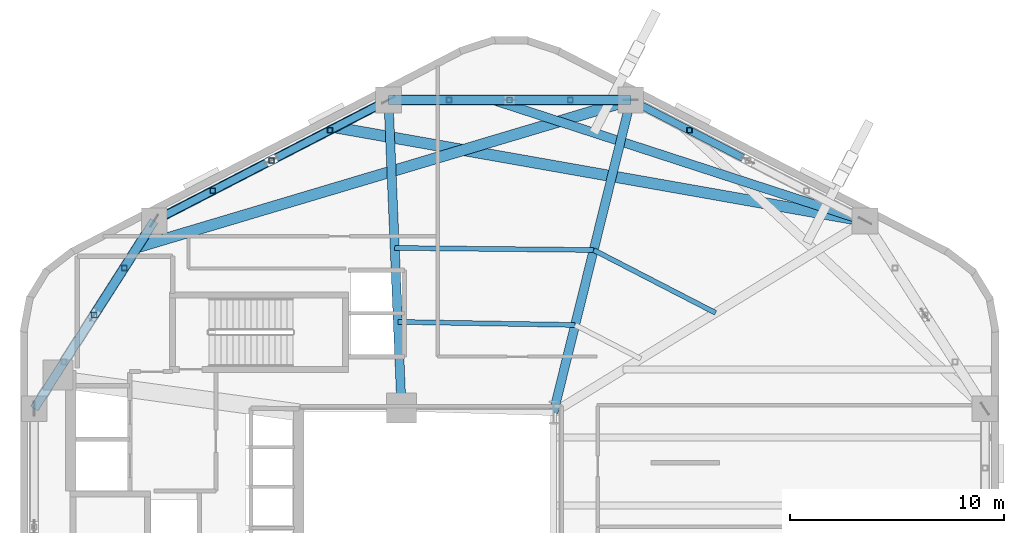
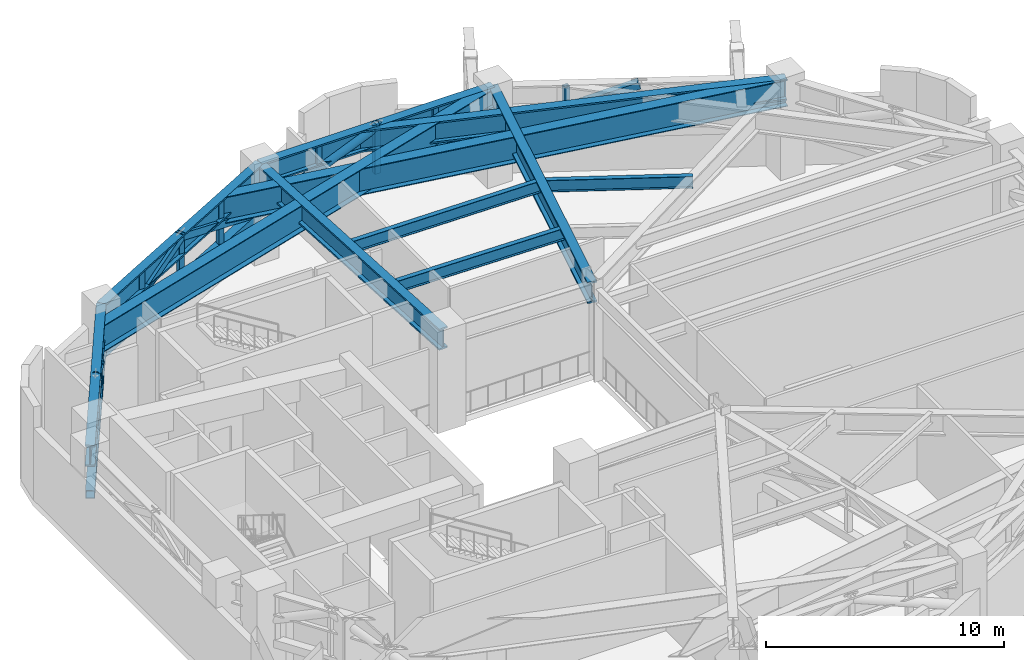
# One storey, part 5 of 14: 18 members, 11 beams.
"""IFC4 building model written with IfcOpenShell, lengths in metres."""

import ifcopenshell
import ifcopenshell.guid

model = None  # the IFC model being written
_history = None  # IfcOwnerHistory: only IFC2X3 demands one
_inside = {}  # id of a spatial element -> (the spatial element, [elements in it])
_under = {}  # id of a project, library or spatial element -> (it, [spatial elements below it])
_declared = {}  # id of a project -> (the project, [libraries it declares])
_typed = {}  # id of a type object -> (the type object, [elements of that type])
_made_of = {}  # id of a material, layer set ... -> (it, [elements and type objects made of it])


def new_model(schema):
    """Start an empty IFC model of exactly this schema.

    Asked for "IFC4X3", IfcOpenShell would pick the latest addendum, in which some entities
    have other attributes; the version numbers below select the first issue.
    IFC2X3 requires an IfcOwnerHistory on every rooted entity: one is made here for all.
    """
    global model, _history
    if schema == "IFC4X3":
        model = ifcopenshell.file(schema_version=(4, 3, 0, 0))
    else:
        model = ifcopenshell.file(schema=schema)
    _inside.clear()
    _under.clear()
    _declared.clear()
    _typed.clear()
    _made_of.clear()
    _history = None
    if model.schema == "IFC2X3":
        org = make("IfcOrganization", Name="unknown")
        user = make(
            "IfcPersonAndOrganization",
            ThePerson=make("IfcPerson", FamilyName="unknown"),
            TheOrganization=org,
        )
        app = make(
            "IfcApplication",
            ApplicationDeveloper=org,
            Version="unknown",
            ApplicationFullName="unknown",
            ApplicationIdentifier="unknown",
        )
        _history = make(
            "IfcOwnerHistory",
            OwningUser=user,
            OwningApplication=app,
            ChangeAction="ADDED",
            CreationDate=0,
        )
    return model


def make(cls, **values):
    """One entity of the class cls with the attributes given. An attribute that is None is left unset."""
    return model.create_entity(
        cls, **{name: value for name, value in values.items() if value is not None}
    )


def rooted(cls, **values):
    """An entity with a GlobalId (a new one), such as an element, a storey or a relation."""
    return make(cls, GlobalId=ifcopenshell.guid.new(), OwnerHistory=_history, **values)


def si_unit(unit_type, name, prefix=None):
    """IfcSIUnit, for example si_unit("LENGTHUNIT", "METRE", prefix="MILLI")."""
    return make("IfcSIUnit", UnitType=unit_type, Prefix=prefix, Name=name)


def assignment(units):
    """IfcUnitAssignment: the units of a project."""
    return None if units is None else make("IfcUnitAssignment", Units=units)


def point(xyz):
    """IfcCartesianPoint."""
    return None if xyz is None else make("IfcCartesianPoint", Coordinates=xyz)


def direction(xyz):
    """IfcDirection."""
    return None if xyz is None else make("IfcDirection", DirectionRatios=xyz)


def frame(location, z_axis=None, x_axis=None):
    """IfcAxis2Placement3D, a coordinate frame: its origin and axes. An axis left out is left unset."""
    return make(
        "IfcAxis2Placement3D",
        Location=point(location),
        Axis=direction(z_axis),
        RefDirection=direction(x_axis),
    )


def frame_2d(location, x_axis=None):
    """IfcAxis2Placement2D, a coordinate frame in the plane: its origin and x axis."""
    return make(
        "IfcAxis2Placement2D", Location=point(location), RefDirection=direction(x_axis)
    )


def origin():
    """The frame at (0, 0, 0) with its axes left unset."""
    return frame((0.0, 0.0, 0.0))


def origin_2d():
    """The frame at (0, 0) in the plane with its x axis left unset."""
    return frame_2d((0.0, 0.0))


def place(relative_to, where):
    """IfcLocalPlacement: puts the frame where relative to a parent placement (None: the world)."""
    return make(
        "IfcLocalPlacement", PlacementRelTo=relative_to, RelativePlacement=where
    )


def context(
    kind, dimensions, precision=None, world=None, true_north=None, identifier=None
):
    """IfcGeometricRepresentationContext, for example the 3D "Model" context."""
    return make(
        "IfcGeometricRepresentationContext",
        ContextIdentifier=identifier,
        ContextType=kind,
        CoordinateSpaceDimension=dimensions,
        Precision=precision,
        WorldCoordinateSystem=world,
        TrueNorth=true_north,
    )


def subcontext(parent, identifier, kind, view, scale=None):
    """IfcGeometricRepresentationSubContext, for example "Body" below "Model"."""
    return make(
        "IfcGeometricRepresentationSubContext",
        ContextIdentifier=identifier,
        ContextType=kind,
        ParentContext=parent,
        TargetScale=scale,
        TargetView=view,
    )


def project(units=None, contexts=None):
    """IfcProject with its units and contexts."""
    return rooted(
        "IfcProject",
        Name="project",
        RepresentationContexts=contexts,
        UnitsInContext=assignment(units),
    )


def spatial(cls, under=None, at=None, **own):
    """A site, building, storey or space (cls), placed at a placement, below another one or the project."""
    s = rooted(cls, ObjectPlacement=at, **own)
    if under is not None:
        _under.setdefault(under.id(), (under, []))[1].append(s)
    return s


def profile(cls, at=None, kind="AREA", **sizes):
    """A parametric profile (cls). Its sizes go by their IFC names, for example OverallWidth=200.0."""
    return make(cls, ProfileType=kind, Position=at, **sizes)


def hollow_rectangle(**sizes):
    """IfcRectangleHollowProfileDef."""
    return profile("IfcRectangleHollowProfileDef", **sizes)


def hollow_circle(**sizes):
    """IfcCircleHollowProfileDef."""
    return profile("IfcCircleHollowProfileDef", **sizes)


def i_section(**sizes):
    """IfcIShapeProfileDef."""
    return profile("IfcIShapeProfileDef", **sizes)


def extrude(swept, where, along, depth):
    """IfcExtrudedAreaSolid: the profile swept, set in the frame where, extruded along a direction by depth."""
    return make(
        "IfcExtrudedAreaSolid",
        SweptArea=swept,
        Position=where,
        ExtrudedDirection=direction(along),
        Depth=depth,
    )


def shape(context_of_items, identifier, shape_type, items):
    """IfcShapeRepresentation: the items that make up one representation, for example the "Body"."""
    return make(
        "IfcShapeRepresentation",
        ContextOfItems=context_of_items,
        RepresentationIdentifier=identifier,
        RepresentationType=shape_type,
        Items=items,
    )


def material(Name=None, Category=None):
    """IfcMaterial."""
    return make("IfcMaterial", Name=Name, Category=Category)


def material_profile(
    of_material, cross_section, Name=None, Category=None, Priority=None
):
    """IfcMaterialProfile: a cross section and its material."""
    return make(
        "IfcMaterialProfile",
        Name=Name,
        Material=of_material,
        Profile=cross_section,
        Priority=Priority,
        Category=Category,
    )


def profile_set(profiles, Name=None, composite=None):
    """IfcMaterialProfileSet."""
    return make(
        "IfcMaterialProfileSet",
        Name=Name,
        MaterialProfiles=profiles,
        CompositeProfile=composite,
    )


def made_of(thing, what):
    """Note that an element or type object is made of a material, layer set ...; save() writes the relation."""
    if what is not None:
        _made_of.setdefault(what.id(), (what, []))[1].append(thing)
    return thing


def type_object(cls, material=None, **own):
    """A type object (cls), such as IfcWallType, which elements share."""
    return made_of(rooted(cls, **own), material)


def element(
    cls,
    number,
    at=None,
    inside=None,
    cuts=None,
    type_object=None,
    material=None,
    context=None,
    identifier="Body",
    shape_type=None,
    held_by="IfcProductDefinitionShape",
    body=None,
    shapes=None,
    **own,
):
    """One element of the class cls, such as IfcWall. Its Tag is "e" and its number.

    at: its placement. inside: the storey or other place that contains it. cuts: it is an
    opening in that element (IfcRelVoidsElement). A single representation is given by context,
    identifier, shape_type and body (its items); several are given by shapes. held_by: the class
    of the entity that holds the representations. save() writes the other relations.
    """
    e = rooted(cls, Tag="e%d" % number, ObjectPlacement=at, **own)
    if body is not None:
        shapes = [shape(context, identifier, shape_type, body)]
    if shapes is not None:
        e.Representation = make(held_by, Representations=shapes)
    if inside is not None:
        _inside.setdefault(inside.id(), (inside, []))[1].append(e)
    if cuts is not None:
        rooted(
            "IfcRelVoidsElement", RelatingBuildingElement=cuts, RelatedOpeningElement=e
        )
    if type_object is not None:
        _typed.setdefault(type_object.id(), (type_object, []))[1].append(e)
    return made_of(e, material)


def aggregate(whole, parts):
    """IfcRelAggregates: a whole, such as a stair, and the parts it consists of."""
    return rooted("IfcRelAggregates", RelatingObject=whole, RelatedObjects=parts)


def save(model, path):
    """Write the relations noted so far, then the file.

    IfcRelAggregates (storeys below a building ...), IfcRelContainedInSpatialStructure (elements
    in a storey), IfcRelDefinesByType, IfcRelAssociatesMaterial and IfcRelDeclares: one each for
    every whole, place, type object, material and project.
    """
    for whole, parts in _under.values():
        aggregate(whole, parts)
    for where, things in _inside.values():
        rooted(
            "IfcRelContainedInSpatialStructure",
            RelatedElements=things,
            RelatingStructure=where,
        )
    for kind, things in _typed.values():
        rooted("IfcRelDefinesByType", RelatedObjects=things, RelatingType=kind)
    for what, things in _made_of.values():
        rooted("IfcRelAssociatesMaterial", RelatedObjects=things, RelatingMaterial=what)
    for by, libraries in _declared.values():
        rooted("IfcRelDeclares", RelatingContext=by, RelatedDefinitions=libraries)
    model.write(path)


model = new_model("IFC4")

# Units and contexts
model_context = context("Model", 3, precision=1e-05, world=origin(), true_north=direction((0.0, 1.0)))
body_context = subcontext(model_context, "Body", "Model", "MODEL_VIEW")
ifc_project = project(units=[si_unit("LENGTHUNIT", "METRE"), si_unit("AREAUNIT", "SQUARE_METRE"), si_unit("VOLUMEUNIT", "CUBIC_METRE"), si_unit("PLANEANGLEUNIT", "RADIAN"), si_unit("MASSUNIT", "GRAM", prefix="KILO"), si_unit("THERMODYNAMICTEMPERATUREUNIT", "KELVIN"), si_unit("POWERUNIT", "WATT")], contexts=[model_context])

# Site, building, storey
site_placement = place(None, origin())
site = spatial("IfcSite", under=ifc_project, at=site_placement, CompositionType="ELEMENT")
building_placement = place(site_placement, origin())
building = spatial("IfcBuilding", under=site, at=building_placement, Name="Skarre Station Tower", CompositionType="ELEMENT")
storey_placement = place(building_placement, frame((0.0, 0.0, 96.35009765625)))
storey = spatial("IfcBuildingStorey", under=building, at=storey_placement, Name="L25", CompositionType="ELEMENT", Elevation=96.35009765625)

# Beams
ifc_material_1 = material(Name="Steel ASTM A572 Grade 50", Category="steel")
ifc_material_profile_1 = material_profile(ifc_material_1, i_section(OverallWidth=0.52001953125, OverallDepth=1.360107421875, WebThickness=0.02587890625, FlangeThickness=0.0380859375, at=origin_2d()), Name="Steel ASTM A572 Grade 50")
ifc_profile_set_1 = profile_set([ifc_material_profile_1], Name="Steel ASTM A572 Grade 50")
beam_type_1 = type_object("IfcBeamType", Name="Built-Up Plate Transfer Girder PG1360X520", PredefinedType="USERDEFINED", material=ifc_profile_set_1)
beam_1_placement = place(storey_placement, frame((54.007080078125, 38.298095703125, 4.099853515625), z_axis=(-0.984772701065, 0.173846849948, 0.0), x_axis=(-0.173846849948, -0.984772701065, 0.0)))
element("IfcBeam", 1, at=beam_1_placement, inside=storey, type_object=beam_type_1, Name="L25 Setback Perimeter Transfer Girder F1C1", ObjectType="TRANSFER_GIRDER", PredefinedType="USERDEFINED", context=body_context, shape_type="SweptSolid", body=[
    extrude(i_section(OverallWidth=0.52001953125, OverallDepth=1.360107421875, WebThickness=0.02587890625, FlangeThickness=0.0380859375, at=origin_2d()), origin(), (0.0, 0.0, 1.0), 25.130615234375),
])
beam_2_placement = place(storey_placement, frame((43.06005859375, 43.947021484375, 4.099853515625), z_axis=(-0.958248400693, -0.285937060502, 0.0), x_axis=(0.285937060502, -0.958248400693, 0.0)))
element("IfcBeam", 2, at=beam_2_placement, inside=storey, type_object=beam_type_1, Name="L25 Setback Perimeter Transfer Girder F1C2", ObjectType="TRANSFER_GIRDER", PredefinedType="USERDEFINED", context=body_context, shape_type="SweptSolid", body=[
    extrude(i_section(OverallWidth=0.52001953125, OverallDepth=1.360107421875, WebThickness=0.02587890625, FlangeThickness=0.0380859375, at=origin_2d()), origin(), (0.0, 0.0, 1.0), 24.057373046875),
])
ifc_material_2 = material(Name="Steel ASTM A913 Grade 65", Category="steel")
ifc_material_profile_2 = material_profile(ifc_material_2, i_section(OverallWidth=0.424072265625, OverallDepth=1.092041015625, WebThickness=0.044921875, FlangeThickness=0.08203125, at=origin_2d()), Name="Steel ASTM A913 Grade 65")
ifc_profile_set_2 = profile_set([ifc_material_profile_2], Name="Steel ASTM A913 Grade 65")
beam_type_2 = type_object("IfcBeamType", Name="Steel Heavy Spandrel W40X593", PredefinedType="SPANDREL", material=ifc_profile_set_2)
beam_3_placement = place(storey_placement, frame((43.06005859375, 43.947021484375, 4.23388671875), z_axis=(-1.0, 0.0, 0.0), x_axis=(0.0, -1.0, 0.0)))
element("IfcBeam", 3, at=beam_3_placement, inside=storey, type_object=beam_type_2, Name="L25 Facet Spandrel Beam 2", PredefinedType="SPANDREL", context=body_context, shape_type="SweptSolid", body=[
    extrude(i_section(OverallWidth=0.424072265625, OverallDepth=1.092041015625, WebThickness=0.044921875, FlangeThickness=0.08203125, at=origin_2d()), origin(), (0.0, 0.0, 1.0), 11.320068359375),
])
beam_4_placement = place(storey_placement, frame((31.739990234375, 43.947021484375, 4.23388671875), z_axis=(-0.888658695823, -0.458569212158, 0.0), x_axis=(0.458569212158, -0.888658695823, 0.0)))
element("IfcBeam", 4, at=beam_4_placement, inside=storey, type_object=beam_type_2, Name="L25 Facet Spandrel Beam 3", PredefinedType="SPANDREL", context=body_context, shape_type="SweptSolid", body=[
    extrude(i_section(OverallWidth=0.424072265625, OverallDepth=1.092041015625, WebThickness=0.044921875, FlangeThickness=0.08203125, at=origin_2d()), origin(), (0.0, 0.0, 1.0), 12.318603515625),
])
beam_5_placement = place(storey_placement, frame((20.79296875, 38.298095703125, 4.23388671875), z_axis=(-0.538277829225, -0.842767452246, 0.0), x_axis=(0.842767452246, -0.538277829225, 0.0)))
element("IfcBeam", 5, at=beam_5_placement, inside=storey, type_object=beam_type_2, Name="L25 Facet Spandrel Beam 4", PredefinedType="SPANDREL", context=body_context, shape_type="SweptSolid", body=[
    extrude(i_section(OverallWidth=0.424072265625, OverallDepth=1.092041015625, WebThickness=0.044921875, FlangeThickness=0.08203125, at=origin_2d()), origin(), (0.0, 0.0, 1.0), 10.41455078125),
])
ifc_material_3 = material(Name="Steel ASTM A992 Grade 50", Category="steel")
ifc_material_profile_3 = material_profile(ifc_material_3, i_section(OverallWidth=0.22802734375, OverallDepth=0.60791015625, WebThickness=0.010986328125, FlangeThickness=0.01708984375, at=origin_2d()), Name="Steel ASTM A992 Grade 50")
ifc_profile_set_3 = profile_set([ifc_material_profile_3], Name="Steel ASTM A992 Grade 50")
beam_type_3 = type_object("IfcBeamType", Name="Steel Joist W24X76", PredefinedType="JOIST", material=ifc_profile_set_3)
beam_6_placement = place(storey_placement, frame((47.02001953125, 34.0029296875, 4.475830078125), z_axis=(-0.888707823182, 0.458473996007, 0.0), x_axis=(-0.458473996007, -0.888707823182, 0.0)))
element("IfcBeam", 6, at=beam_6_placement, inside=storey, type_object=beam_type_3, Name="L25 Secondary Floor Joist 2", PredefinedType="JOIST", context=body_context, shape_type="SweptSolid", body=[
    extrude(i_section(OverallWidth=0.22802734375, OverallDepth=0.60791015625, WebThickness=0.010986328125, FlangeThickness=0.01708984375, at=origin_2d()), origin(), (0.0, 0.0, 1.0), 6.406005859375),
])
beam_7_placement = place(storey_placement, frame((40.4609375, 33.43701171875, 4.475830078125), z_axis=(-0.999848787739, 0.017389699754, 0.0), x_axis=(-0.017389699754, -0.999848787739, 0.0)))
element("IfcBeam", 7, at=beam_7_placement, inside=storey, type_object=beam_type_3, Name="L25 Secondary Floor Joist 3", PredefinedType="JOIST", context=body_context, shape_type="SweptSolid", body=[
    extrude(i_section(OverallWidth=0.22802734375, OverallDepth=0.60791015625, WebThickness=0.010986328125, FlangeThickness=0.01708984375, at=origin_2d()), origin(), (0.0, 0.0, 1.0), 8.283203125),
])
beam_8_placement = place(storey_placement, frame((41.326904296875, 36.93994140625, 4.475830078125), z_axis=(-0.999946715577, 0.010323081308, 0.0), x_axis=(-0.010323081308, -0.999946715577, 0.0)))
element("IfcBeam", 8, at=beam_8_placement, inside=storey, type_object=beam_type_3, Name="L25 Secondary Floor Joist 4", PredefinedType="JOIST", context=body_context, shape_type="SweptSolid", body=[
    extrude(i_section(OverallWidth=0.22802734375, OverallDepth=0.60791015625, WebThickness=0.010986328125, FlangeThickness=0.01708984375, at=origin_2d()), origin(), (0.0, 0.0, 1.0), 9.29443359375),
])
ifc_material_profile_4 = material_profile(ifc_material_2, i_section(OverallWidth=0.424072265625, OverallDepth=1.092041015625, WebThickness=0.044921875, FlangeThickness=0.08203125, at=origin_2d()), Name="Steel ASTM A913 Grade 65")
ifc_profile_set_4 = profile_set([ifc_material_profile_4], Name="Steel ASTM A913 Grade 65")
beam_type_4 = type_object("IfcBeamType", Name="Steel Medium-Span Transfer Girder W40X593", PredefinedType="USERDEFINED", material=ifc_profile_set_4)
beam_9_placement = place(storey_placement, frame((54.007080078125, 38.298095703125, 4.23388671875), z_axis=(-0.951027883587, 0.309105102901, 0.0), x_axis=(-0.309105102901, -0.951027883587, 0.0)))
element("IfcBeam", 9, at=beam_9_placement, inside=storey, type_object=beam_type_4, Name="L25 Setback Perimeter Transfer Girder F0C2", ObjectType="TRANSFER_GIRDER", PredefinedType="USERDEFINED", context=body_context, shape_type="SweptSolid", body=[
    extrude(i_section(OverallWidth=0.424072265625, OverallDepth=1.092041015625, WebThickness=0.044921875, FlangeThickness=0.08203125, at=origin_2d()), origin(), (0.0, 0.0, 1.0), 18.275146484375),
])
beam_10_placement = place(storey_placement, frame((39.449951171875, 29.35009765625, 4.23388671875), z_axis=(0.240086037639, 0.9707516132, 0.0), x_axis=(-0.9707516132, 0.240086037639, 0.0)))
element("IfcBeam", 10, at=beam_10_placement, inside=storey, type_object=beam_type_4, Name="L25 Radial Floor Girder F0C2", ObjectType="TRANSFER_GIRDER", PredefinedType="USERDEFINED", context=body_context, shape_type="SweptSolid", body=[
    extrude(i_section(OverallWidth=0.424072265625, OverallDepth=1.092041015625, WebThickness=0.044921875, FlangeThickness=0.08203125, at=origin_2d()), origin(), (0.0, 0.0, 1.0), 15.03662109375),
])
beam_11_placement = place(storey_placement, frame((32.35009765625, 29.550048828125, 4.23388671875), z_axis=(-0.042339479433, 0.999103282189, 0.0), x_axis=(-0.999103282189, -0.042339479433, 0.0)))
element("IfcBeam", 11, at=beam_11_placement, inside=storey, type_object=beam_type_4, Name="L25 Radial Floor Girder F1C1", ObjectType="TRANSFER_GIRDER", PredefinedType="USERDEFINED", context=body_context, shape_type="SweptSolid", body=[
    extrude(i_section(OverallWidth=0.424072265625, OverallDepth=1.092041015625, WebThickness=0.044921875, FlangeThickness=0.08203125, at=origin_2d()), origin(), (0.0, 0.0, 1.0), 14.409912109375),
])

# Members
ifc_material_4 = material(Name="Steel ASTM A500 Grade C", Category="steel")
ifc_material_profile_5 = material_profile(ifc_material_4, hollow_circle(Radius=0.228515625, WallThickness=0.02001953125, at=origin_2d()), Name="Steel ASTM A500 Grade C")
ifc_profile_set_5 = profile_set([ifc_material_profile_5], Name="Steel ASTM A500 Grade C")
member_type_1 = type_object("IfcMemberType", Name="Steel Truss Brace CHS457X20", PredefinedType="BRACE", material=ifc_profile_set_5)
member_1_placement = place(storey_placement, frame((43.06005859375, 43.947021484375, 2.25), z_axis=(-0.921829856556, 0.0, 0.387594782682), x_axis=(0.0, -1.0, 0.0)))
element("IfcMember", 12, at=member_1_placement, inside=storey, type_object=member_type_1, Name="L25 Belt Truss Chevron Diagonal 2A", PredefinedType="BRACE", context=body_context, shape_type="SweptSolid", body=[
    extrude(hollow_circle(Radius=0.228515625, WallThickness=0.02001953125, at=origin_2d()), origin(), (0.0, 0.0, 1.0), 6.14013671875),
])
member_2_placement = place(storey_placement, frame((31.739990234375, 43.947021484375, 2.25), z_axis=(0.921823882873, 0.0, 0.387608989788), x_axis=(0.0, 1.0, 0.0)))
element("IfcMember", 13, at=member_2_placement, inside=storey, type_object=member_type_1, Name="L25 Belt Truss Chevron Diagonal 2B", PredefinedType="BRACE", context=body_context, shape_type="SweptSolid", body=[
    extrude(hollow_circle(Radius=0.228515625, WallThickness=0.02001953125, at=origin_2d()), origin(), (0.0, 0.0, 1.0), 6.139892578125),
])
member_3_placement = place(storey_placement, frame((20.79296875, 38.298095703125, 2.25), z_axis=(-0.489595309643, -0.766482544685, 0.415693326226), x_axis=(0.842747073867, -0.538309733786, 0.0)))
element("IfcMember", 14, at=member_3_placement, inside=storey, type_object=member_type_1, Name="L25 Belt Truss Chevron Diagonal 4A", PredefinedType="BRACE", context=body_context, shape_type="SweptSolid", body=[
    extrude(hollow_circle(Radius=0.228515625, WallThickness=0.02001953125, at=origin_2d()), origin(), (0.0, 0.0, 1.0), 5.72509765625),
])
ifc_material_profile_6 = material_profile(ifc_material_4, hollow_rectangle(XDim=0.35009765625, YDim=0.35009765625, WallThickness=0.02001953125, at=origin_2d()), Name="Steel ASTM A500 Grade C")
ifc_profile_set_6 = profile_set([ifc_material_profile_6], Name="Steel ASTM A500 Grade C")
member_type_2 = type_object("IfcMemberType", Name="Steel Truss Brace HSS350X350X20", PredefinedType="BRACE", material=ifc_profile_set_6)
member_4_placement = place(storey_placement, frame((43.06005859375, 43.947021484375, 2.25), z_axis=(0.828975713147, -0.427668795949, 0.360414577929), x_axis=(0.458482377131, 0.888703499408, 0.0)))
element("IfcMember", 15, at=member_4_placement, inside=storey, type_object=member_type_2, Name="L25 Belt Truss Chevron Diagonal 1B", PredefinedType="BRACE", context=body_context, shape_type="SweptSolid", body=[
    extrude(hollow_rectangle(XDim=0.35009765625, YDim=0.35009765625, WallThickness=0.02001953125, at=origin_2d()), origin(), (0.0, 0.0, 1.0), 6.603271484375),
])
member_5_placement = place(storey_placement, frame((31.739990234375, 43.947021484375, 2.25), z_axis=(-0.828929443902, -0.427721232886, 0.360458768754), x_axis=(0.45854698635, -0.888670164521, 0.0)))
element("IfcMember", 16, at=member_5_placement, inside=storey, type_object=member_type_2, Name="L25 Belt Truss Chevron Diagonal 3A", PredefinedType="BRACE", context=body_context, shape_type="SweptSolid", body=[
    extrude(hollow_rectangle(XDim=0.35009765625, YDim=0.35009765625, WallThickness=0.02001953125, at=origin_2d()), origin(), (0.0, 0.0, 1.0), 6.602294921875),
])
member_6_placement = place(storey_placement, frame((20.79296875, 38.298095703125, 2.25), z_axis=(0.82893484422, 0.427776517816, 0.360380735949), x_axis=(-0.458591432149, 0.888647229422, 0.0)))
element("IfcMember", 17, at=member_6_placement, inside=storey, type_object=member_type_2, Name="L25 Belt Truss Chevron Diagonal 3B", PredefinedType="BRACE", context=body_context, shape_type="SweptSolid", body=[
    extrude(hollow_rectangle(XDim=0.35009765625, YDim=0.35009765625, WallThickness=0.02001953125, at=origin_2d()), origin(), (0.0, 0.0, 1.0), 6.603759765625),
])
ifc_material_profile_7 = material_profile(ifc_material_4, hollow_rectangle(XDim=0.39990234375, YDim=0.39990234375, WallThickness=0.02197265625, at=origin_2d()), Name="Steel ASTM A500 Grade C")
ifc_profile_set_7 = profile_set([ifc_material_profile_7], Name="Steel ASTM A500 Grade C")
member_type_3 = type_object("IfcMemberType", Name="Steel Truss Chord HSS400X400X22", PredefinedType="CHORD", material=ifc_profile_set_7)
member_7_placement = place(storey_placement, frame((43.06005859375, 43.947021484375, 2.25), z_axis=(-1.0, 0.0, 0.0), x_axis=(0.0, -1.0, 0.0)))
element("IfcMember", 18, at=member_7_placement, inside=storey, type_object=member_type_3, Name="L25 Belt Truss Bottom Chord 2", PredefinedType="CHORD", context=body_context, shape_type="SweptSolid", body=[
    extrude(hollow_rectangle(XDim=0.39990234375, YDim=0.39990234375, WallThickness=0.02197265625, at=origin_2d()), origin(), (0.0, 0.0, 1.0), 11.320068359375),
])
member_8_placement = place(storey_placement, frame((31.739990234375, 43.947021484375, 2.25), z_axis=(-0.888658695823, -0.458569212158, 0.0), x_axis=(0.458569212158, -0.888658695823, 0.0)))
element("IfcMember", 19, at=member_8_placement, inside=storey, type_object=member_type_3, Name="L25 Belt Truss Bottom Chord 3", PredefinedType="CHORD", context=body_context, shape_type="SweptSolid", body=[
    extrude(hollow_rectangle(XDim=0.39990234375, YDim=0.39990234375, WallThickness=0.02197265625, at=origin_2d()), origin(), (0.0, 0.0, 1.0), 12.318603515625),
])
member_9_placement = place(storey_placement, frame((20.79296875, 38.298095703125, 2.25), z_axis=(-0.538277829225, -0.842767452246, 0.0), x_axis=(0.842767452246, -0.538277829225, 0.0)))
element("IfcMember", 20, at=member_9_placement, inside=storey, type_object=member_type_3, Name="L25 Belt Truss Bottom Chord 4", PredefinedType="CHORD", context=body_context, shape_type="SweptSolid", body=[
    extrude(hollow_rectangle(XDim=0.39990234375, YDim=0.39990234375, WallThickness=0.02197265625, at=origin_2d()), origin(), (0.0, 0.0, 1.0), 10.41455078125),
])
ifc_material_profile_8 = material_profile(ifc_material_4, hollow_rectangle(XDim=0.25, YDim=0.25, WallThickness=0.01611328125, at=origin_2d()), Name="Steel ASTM A500 Grade C")
ifc_profile_set_8 = profile_set([ifc_material_profile_8], Name="Steel ASTM A500 Grade C")
member_type_4 = type_object("IfcMemberType", Name="Steel Truss Strut HSS250X250X16", PredefinedType="STRUT", material=ifc_profile_set_8)
for number, where, z_axis, x_axis, name in (
    (21, (45.797119140625, 42.534912109375, 2.25), (0.0, 0.0, 1.0), (1.0, 0.0, 0.0), "L25 Belt Truss Web Post 1-3"),
    (22, (40.22998046875, 43.947021484375, 2.25), (0.0, 0.0, 1.0), (1.0, 0.0, 0.0), "L25 Belt Truss Web Post 2-1"),
    (23, (37.39990234375, 43.947021484375, 2.25), (0.0, 0.0, 1.0), (1.0, 0.0, 0.0), "L25 Belt Truss Web Post 2-2"),
    (24, (34.570068359375, 43.947021484375, 2.25), (0.0, 0.0, 1.0), (1.0, 0.0, 0.0), "L25 Belt Truss Web Post 2-3"),
    (25, (29.0029296875, 42.534912109375, 2.25), (0.0, 0.0, 1.0), (1.0, 0.0, 0.0), "L25 Belt Truss Web Post 3-1"),
    (26, (26.26708984375, 41.123046875, 2.25), (0.0, 0.0, 1.0), (1.0, 0.0, 0.0), "L25 Belt Truss Web Post 3-2"),
    (27, (23.530029296875, 39.7099609375, 2.25), (0.0, 0.0, 1.0), (1.0, 0.0, 0.0), "L25 Belt Truss Web Post 3-3"),
    (28, (19.39208984375, 36.10400390625, 2.25), (0.0, 0.0, 1.0), (1.0, 0.0, 0.0), "L25 Belt Truss Web Post 4-1"),
    (29, (17.989990234375, 33.909912109375, 2.25), (0.0, 0.0, 1.0), (1.0, 0.0, 0.0), "L25 Belt Truss Web Post 4-2"),
):
    element("IfcMember", number, at=place(storey_placement, frame(where, z_axis=z_axis, x_axis=x_axis)), inside=storey, type_object=member_type_4, Name=name, PredefinedType="STRUT", context=body_context, shape_type="SweptSolid", body=[
        extrude(hollow_rectangle(XDim=0.25, YDim=0.25, WallThickness=0.01611328125, at=origin_2d()), origin(), (0.0, 0.0, 1.0), 2.3798828125),
    ])

save(model, "model.ifc")
